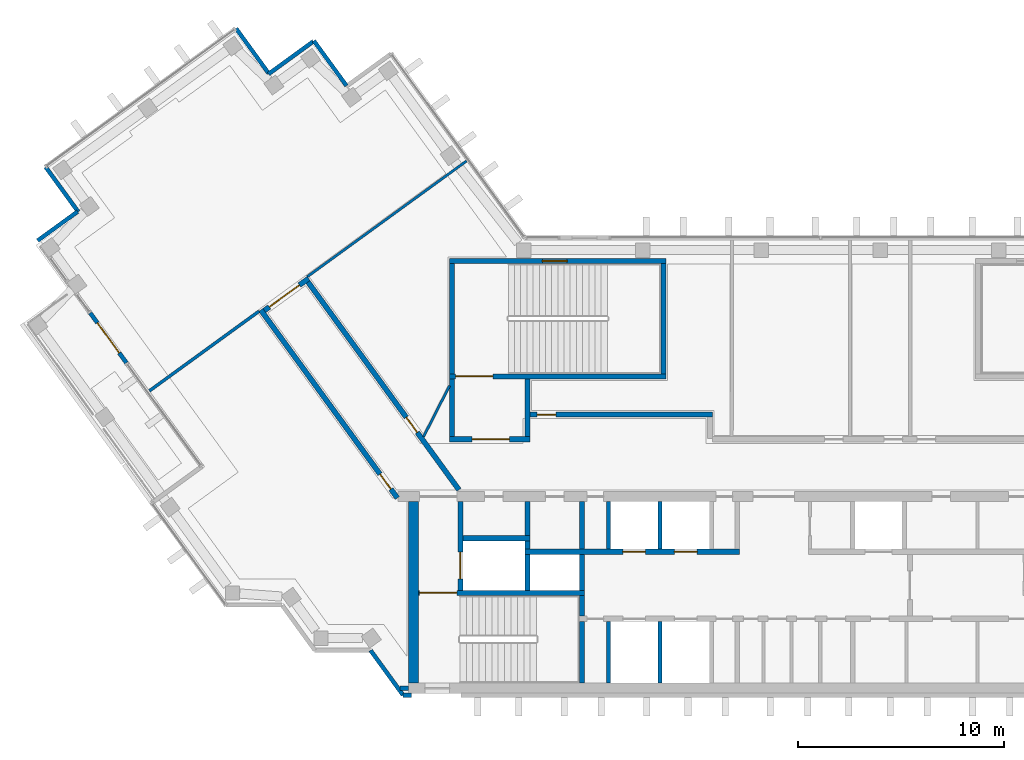
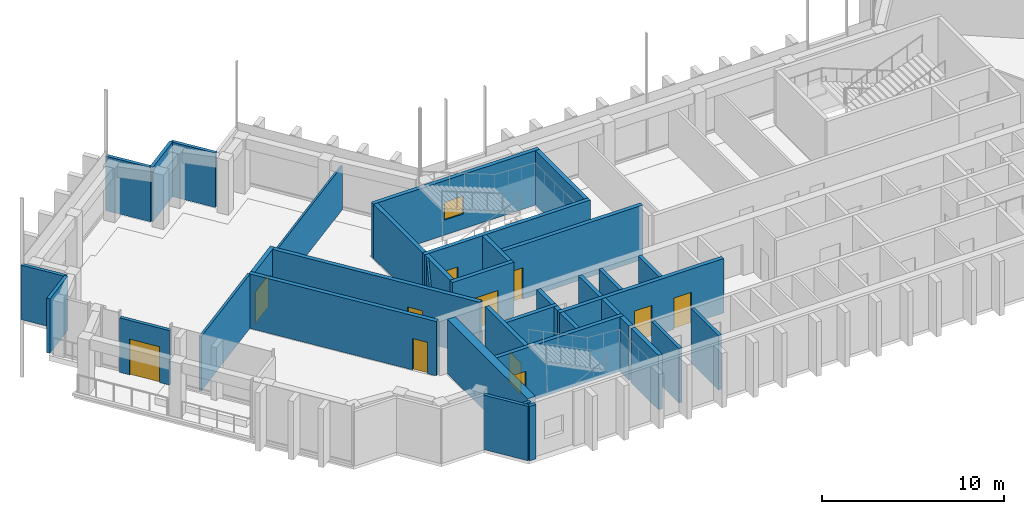
# One storey, part 9 of 14: 39 walls, 11 doors, 1 window, 12 openings.
"""IFC4 building model written with IfcOpenShell, lengths in metres."""

from ifc_helpers import new_model, si_unit, direction, frame, frame_2d, origin, place, context, subcontext, project, spatial, rectangle, extrude, material, layer, layer_set, type_object, element, fill, save


model = new_model("IFC4")

# Units and contexts
model_context = context("Model", 3, precision=1e-05, world=origin(), true_north=direction((0.0, 1.0)))
body_context = subcontext(model_context, "Body", "Model", "MODEL_VIEW")
ifc_project = project(units=[si_unit("LENGTHUNIT", "METRE"), si_unit("AREAUNIT", "SQUARE_METRE"), si_unit("VOLUMEUNIT", "CUBIC_METRE"), si_unit("PLANEANGLEUNIT", "RADIAN"), si_unit("MASSUNIT", "GRAM", prefix="KILO")], contexts=[model_context])

# Site, building, storey
site_placement = place(None, origin())
site = spatial("IfcSite", under=ifc_project, at=site_placement, CompositionType="ELEMENT")
building_placement = place(site_placement, origin())
building = spatial("IfcBuilding", under=site, at=building_placement, Name="Quipu Civic Tower", CompositionType="ELEMENT")
storey_placement = place(building_placement, frame((0.0, 0.0, 257.0)))
storey = spatial("IfcBuildingStorey", under=building, at=storey_placement, Name="L60", CompositionType="ELEMENT", Elevation=257.0)

# Walls
ifc_material_1 = material(Name="Double gypsum plasterboard with mineral wool")
ifc_layer_1 = layer(ifc_material_1, 0.14990234375)
ifc_layer_set_1 = layer_set([ifc_layer_1], Name="Double gypsum plasterboard with mineral wool")
wall_type_1 = type_object("IfcWallType", Name="Acoustic partition 150 plasterboard", PredefinedType="PARTITIONING", material=ifc_layer_set_1)
wall_1_placement = place(storey_placement, frame((-32.55615234375, 3.67138671875, 0.0), z_axis=(0.0, 0.0, 1.0), x_axis=(0.809057351259, 0.587729701796, 0.0)))
element("IfcWall", 1, at=wall_1_placement, inside=storey, type_object=wall_type_1, Name="Partition P06", PredefinedType="PARTITIONING", context=body_context, shape_type="SweptSolid", body=[
    extrude(rectangle(XDim=6.56982421875, YDim=0.14990234375, at=frame_2d((3.284912109375, 0.0))), origin(), (0.0, 0.0, 1.0), 3.64990234375),
])
ifc_material_2 = material(Name="Concrete C70/85", Category="concrete")
ifc_layer_2 = layer(ifc_material_2, 0.25)
ifc_layer_set_2 = layer_set([ifc_layer_2], Name="Concrete C70/85")
wall_type_2 = type_object("IfcWallType", Name="Core wall 250", PredefinedType="SHEAR", material=ifc_layer_set_2)
wall_2_placement = place(storey_placement, frame((-11.574951171875, -10.5, 0.0), z_axis=(0.0, 0.0, 1.0), x_axis=(0.0, 1.0, 0.0)))
element("IfcWall", 2, at=wall_2_placement, inside=storey, type_object=wall_type_2, Name="Core wall", PredefinedType="SHEAR", context=body_context, shape_type="SweptSolid", body=[
    extrude(rectangle(XDim=3.0, YDim=0.25, at=frame_2d((1.5, 0.0))), origin(), (0.0, 0.0, 1.0), 3.64990234375),
])
wall_3_placement = place(storey_placement, frame((-11.574951171875, -7.25, 0.0), z_axis=(0.0, 0.0, 1.0), x_axis=(0.0, 1.0, 0.0)))
element("IfcWall", 3, at=wall_3_placement, inside=storey, type_object=wall_type_2, Name="Core wall", PredefinedType="SHEAR", context=body_context, shape_type="SweptSolid", body=[
    extrude(rectangle(XDim=1.0, YDim=0.25, at=frame_2d((0.5, 0.0))), origin(), (0.0, 0.0, 1.0), 3.64990234375),
])

# Wall, opening, door
wall_4_placement = place(storey_placement, frame((-11.449951171875, -6.125, 0.0), z_axis=(0.0, 0.0, 1.0), x_axis=(-1.0, 0.0, 0.0)))
wall_4 = element("IfcWall", 4, at=wall_4_placement, inside=storey, type_object=wall_type_2, Name="Core wall", PredefinedType="SHEAR", context=body_context, shape_type="SweptSolid", body=[
    extrude(rectangle(XDim=8.050048828125, YDim=0.25, at=frame_2d((4.02490234375, 0.0))), origin(), (0.0, 0.0, 1.0), 3.64990234375),
])
opening_1_placement = place(wall_4_placement, frame((6.199951171875, 0.0, 0.0)))
opening_1 = element("IfcOpeningElement", 5, at=opening_1_placement, cuts=wall_4, Name="Opening CD-10", PredefinedType="OPENING", context=body_context, shape_type="SweptSolid", body=[
    extrude(rectangle(XDim=1.800048828125, YDim=2.10009765625, at=frame_2d((0.89990234375, 1.050048828125))), frame((0.0, 0.135009765625, 0.0), z_axis=(0.0, -1.0, 0.0), x_axis=(1.0, 0.0, 0.0)), (0.0, 0.0, 1.0), 0.27001953125),
])
ifc_material_3 = material(Name="Fire rated steel door", Category="steel")
door_type_1 = type_object("IfcDoorType", Name="Fire door FD90 double 1800 x 2100", OperationType="NOTDEFINED", PredefinedType="DOOR", material=ifc_material_3)
door_1_placement = place(opening_1_placement, origin())
door_1 = element("IfcDoor", 6, at=door_1_placement, inside=storey, type_object=door_type_1, Name="Door", OperationType="DOUBLE_DOOR_SINGLE_SWING", OverallHeight=2.10009765625, OverallWidth=1.800048828125, PredefinedType="DOOR", context=body_context, shape_type="SweptSolid", body=[
    extrude(rectangle(XDim=1.800048828125, YDim=2.10009765625, at=frame_2d((0.89990234375, 1.050048828125))), frame((0.0, 0.02490234375, 0.0), z_axis=(0.0, -1.0, 0.0), x_axis=(1.0, 0.0, 0.0)), (0.0, 0.0, 1.0), 0.050048828125),
])
fill(opening_1, door_1)

wall_5_placement = place(storey_placement, frame((-17.47509765625, -6.0, 0.0), z_axis=(0.0, 0.0, 1.0), x_axis=(0.0, 1.0, 0.0)))
wall_5 = element("IfcWall", 7, at=wall_5_placement, inside=storey, type_object=wall_type_2, Name="Core wall", PredefinedType="SHEAR", context=body_context, shape_type="SweptSolid", body=[
    extrude(rectangle(XDim=4.300048828125, YDim=0.25, at=frame_2d((2.14990234375, 0.0))), origin(), (0.0, 0.0, 1.0), 3.64990234375),
])
opening_2_placement = place(wall_5_placement, frame((0.550048828125, 0.0, 0.0)))
opening_2 = element("IfcOpeningElement", 8, at=opening_2_placement, cuts=wall_5, Name="Opening LD-FF1", PredefinedType="OPENING", context=body_context, shape_type="SweptSolid", body=[
    extrude(rectangle(XDim=1.300048828125, YDim=2.10009765625, at=frame_2d((0.64990234375, 1.050048828125))), frame((0.0, 0.135009765625, 0.0), z_axis=(0.0, -1.0, 0.0), x_axis=(1.0, 0.0, 0.0)), (0.0, 0.0, 1.0), 0.27001953125),
])
ifc_material_4 = material(Name="Stainless steel", Category="steel")
door_type_2 = type_object("IfcDoorType", Name="Lift landing door 1300 x 2100", OperationType="DOUBLE_DOOR_SLIDING", PredefinedType="DOOR", material=ifc_material_4)
door_2_placement = place(opening_2_placement, origin())
door_2 = element("IfcDoor", 9, at=door_2_placement, inside=storey, type_object=door_type_2, Name="Landing door FF1", OperationType="DOUBLE_DOOR_SLIDING", OverallHeight=2.10009765625, OverallWidth=1.300048828125, PredefinedType="DOOR", context=body_context, shape_type="SweptSolid", body=[
    extrude(rectangle(XDim=1.300048828125, YDim=2.10009765625, at=frame_2d((0.64990234375, 1.050048828125))), frame((0.0, 0.02490234375, 0.0), z_axis=(0.0, -1.0, 0.0), x_axis=(1.0, 0.0, 0.0)), (0.0, 0.0, 1.0), 0.050048828125),
])
fill(opening_2, door_2)

# Walls
for number, where, z_axis, x_axis, name in (
    (10, (-14.22509765625, -6.0, 0.0), (0.0, 0.0, 1.0), (0.0, 1.0, 0.0), "Core wall"),
    (11, (-11.574951171875, -6.0, 0.0), (0.0, 0.0, 1.0), (0.0, 1.0, 0.0), "Core wall"),
):
    element("IfcWall", number, at=place(storey_placement, frame(where, z_axis=z_axis, x_axis=x_axis)), inside=storey, type_object=wall_type_2, Name=name, PredefinedType="SHEAR", context=body_context, shape_type="SweptSolid", body=[
        extrude(rectangle(XDim=1.75, YDim=0.25, at=frame_2d((0.875, 0.0))), origin(), (0.0, 0.0, 1.0), 3.64990234375),
    ])

# Wall, openings, doors
wall_6_placement = place(storey_placement, frame((-14.35009765625, -4.125, 0.0), z_axis=(0.0, 0.0, 1.0), x_axis=(1.0, 0.0, 0.0)))
wall_6 = element("IfcWall", 12, at=wall_6_placement, inside=storey, type_object=wall_type_2, Name="Core wall", PredefinedType="SHEAR", context=body_context, shape_type="SweptSolid", body=[
    extrude(rectangle(XDim=10.400146484375, YDim=0.25, at=frame_2d((5.2001953125, 0.0))), origin(), (0.0, 0.0, 1.0), 3.64990234375),
])
opening_3_placement = place(wall_6_placement, frame((4.75, 0.0, 0.0)))
opening_3 = element("IfcOpeningElement", 13, at=opening_3_placement, cuts=wall_6, Name="Opening LD-HL3", PredefinedType="OPENING", context=body_context, shape_type="SweptSolid", body=[
    extrude(rectangle(XDim=1.10009765625, YDim=2.10009765625, at=frame_2d((0.550048828125, 1.050048828125))), frame((0.0, 0.135009765625, 0.0), z_axis=(0.0, -1.0, 0.0), x_axis=(1.0, 0.0, 0.0)), (0.0, 0.0, 1.0), 0.27001953125),
])
opening_4_placement = place(wall_6_placement, frame((7.25, 0.0, 0.0)))
opening_4 = element("IfcOpeningElement", 14, at=opening_4_placement, cuts=wall_6, Name="Opening LD-HL4", PredefinedType="OPENING", context=body_context, shape_type="SweptSolid", body=[
    extrude(rectangle(XDim=1.10009765625, YDim=2.10009765625, at=frame_2d((0.550048828125, 1.050048828125))), frame((0.0, 0.135009765625, 0.0), z_axis=(0.0, -1.0, 0.0), x_axis=(1.0, 0.0, 0.0)), (0.0, 0.0, 1.0), 0.27001953125),
])
ifc_material_5 = material(Name="Stainless steel", Category="steel")
door_type_3 = type_object("IfcDoorType", Name="Lift landing door 1100 x 2100", OperationType="DOUBLE_DOOR_SLIDING", PredefinedType="DOOR", material=ifc_material_5)
door_3_placement = place(opening_3_placement, origin())
door_3 = element("IfcDoor", 15, at=door_3_placement, inside=storey, type_object=door_type_3, Name="Landing door HL3", OperationType="DOUBLE_DOOR_SLIDING", OverallHeight=2.10009765625, OverallWidth=1.10009765625, PredefinedType="DOOR", context=body_context, shape_type="SweptSolid", body=[
    extrude(rectangle(XDim=1.10009765625, YDim=2.10009765625, at=frame_2d((0.550048828125, 1.050048828125))), frame((0.0, 0.02490234375, 0.0), z_axis=(0.0, -1.0, 0.0), x_axis=(1.0, 0.0, 0.0)), (0.0, 0.0, 1.0), 0.050048828125),
])
fill(opening_3, door_3)
door_4_placement = place(opening_4_placement, origin())
door_4 = element("IfcDoor", 16, at=door_4_placement, inside=storey, type_object=door_type_3, Name="Landing door HL4", OperationType="DOUBLE_DOOR_SLIDING", OverallHeight=2.10009765625, OverallWidth=1.10009765625, PredefinedType="DOOR", context=body_context, shape_type="SweptSolid", body=[
    extrude(rectangle(XDim=1.10009765625, YDim=2.10009765625, at=frame_2d((0.550048828125, 1.050048828125))), frame((0.0, 0.02490234375, 0.0), z_axis=(0.0, -1.0, 0.0), x_axis=(1.0, 0.0, 0.0)), (0.0, 0.0, 1.0), 0.050048828125),
])
fill(opening_4, door_4)

# Walls
wall_7_placement = place(storey_placement, frame((-14.22509765625, -4.0, 0.0), z_axis=(0.0, 0.0, 1.0), x_axis=(0.0, 1.0, 0.0)))
element("IfcWall", 17, at=wall_7_placement, inside=storey, type_object=wall_type_2, Name="Core wall", PredefinedType="SHEAR", context=body_context, shape_type="SweptSolid", body=[
    extrude(rectangle(XDim=0.39990234375, YDim=0.25, at=frame_2d((0.199951171875, 0.0))), origin(), (0.0, 0.0, 1.0), 3.64990234375),
])
wall_8_placement = place(storey_placement, frame((-11.574951171875, -4.0, 0.0), z_axis=(0.0, 0.0, 1.0), x_axis=(0.0, 1.0, 0.0)))
element("IfcWall", 18, at=wall_8_placement, inside=storey, type_object=wall_type_2, Name="Core wall", PredefinedType="SHEAR", context=body_context, shape_type="SweptSolid", body=[
    extrude(rectangle(XDim=2.300048828125, YDim=0.25, at=frame_2d((1.14990234375, 0.0))), origin(), (0.0, 0.0, 1.0), 3.64990234375),
])
wall_9_placement = place(storey_placement, frame((-17.35009765625, -3.47509765625, 0.0), z_axis=(0.0, 0.0, 1.0), x_axis=(1.0, 0.0, 0.0)))
element("IfcWall", 19, at=wall_9_placement, inside=storey, type_object=wall_type_2, Name="Core wall", PredefinedType="SHEAR", context=body_context, shape_type="SweptSolid", body=[
    extrude(rectangle(XDim=3.25, YDim=0.25, at=frame_2d((1.625, 0.0))), origin(), (0.0, 0.0, 1.0), 3.64990234375),
])
wall_10_placement = place(storey_placement, frame((-14.22509765625, -3.35009765625, 0.0), z_axis=(0.0, 0.0, 1.0), x_axis=(0.0, 1.0, 0.0)))
element("IfcWall", 20, at=wall_10_placement, inside=storey, type_object=wall_type_2, Name="Core wall", PredefinedType="SHEAR", context=body_context, shape_type="SweptSolid", body=[
    extrude(rectangle(XDim=1.650146484375, YDim=0.25, at=frame_2d((0.8251953125, 0.0))), origin(), (0.0, 0.0, 1.0), 3.64990234375),
])

# Wall, opening, door
wall_11_placement = place(storey_placement, frame((-18.0, 1.324951171875, 0.0), z_axis=(0.0, 0.0, 1.0), x_axis=(1.0, 0.0, 0.0)))
wall_11 = element("IfcWall", 21, at=wall_11_placement, inside=storey, type_object=wall_type_2, Name="Core wall", PredefinedType="SHEAR", context=body_context, shape_type="SweptSolid", body=[
    extrude(rectangle(XDim=3.89990234375, YDim=0.25, at=frame_2d((1.949951171875, 0.0))), origin(), (0.0, 0.0, 1.0), 3.64990234375),
])
opening_5_placement = place(wall_11_placement, frame((1.10009765625, 0.0, 0.0)))
opening_5 = element("IfcOpeningElement", 22, at=opening_5_placement, cuts=wall_11, Name="Opening CD-27", PredefinedType="OPENING", context=body_context, shape_type="SweptSolid", body=[
    extrude(rectangle(XDim=1.800048828125, YDim=2.10009765625, at=frame_2d((0.89990234375, 1.050048828125))), frame((0.0, 0.135009765625, 0.0), z_axis=(0.0, -1.0, 0.0), x_axis=(1.0, 0.0, 0.0)), (0.0, 0.0, 1.0), 0.27001953125),
])
door_5_placement = place(opening_5_placement, origin())
door_5 = element("IfcDoor", 23, at=door_5_placement, inside=storey, type_object=door_type_1, Name="Lobby door", OperationType="DOUBLE_DOOR_SINGLE_SWING", OverallHeight=2.10009765625, OverallWidth=1.800048828125, PredefinedType="DOOR", context=body_context, shape_type="SweptSolid", body=[
    extrude(rectangle(XDim=1.800048828125, YDim=2.10009765625, at=frame_2d((0.89990234375, 1.050048828125))), frame((0.0, 0.02490234375, 0.0), z_axis=(0.0, -1.0, 0.0), x_axis=(1.0, 0.0, 0.0)), (0.0, 0.0, 1.0), 0.050048828125),
])
fill(opening_5, door_5)

# Walls
for number, where, z_axis, x_axis, name in (
    (24, (-17.875, 1.449951171875, 0.0), (0.0, 0.0, 1.0), (0.0, 1.0, 0.0), "Core wall"),
    (25, (-14.22509765625, 1.449951171875, 0.0), (0.0, 0.0, 1.0), (0.0, 1.0, 0.0), "Core wall"),
):
    element("IfcWall", number, at=place(storey_placement, frame(where, z_axis=z_axis, x_axis=x_axis)), inside=storey, type_object=wall_type_2, Name=name, PredefinedType="SHEAR", context=body_context, shape_type="SweptSolid", body=[
        extrude(rectangle(XDim=2.800048828125, YDim=0.25, at=frame_2d((1.39990234375, 0.0))), origin(), (0.0, 0.0, 1.0), 3.64990234375),
    ])

# Wall, opening, door
wall_12_placement = place(storey_placement, frame((-18.0, 4.375, 0.0), z_axis=(0.0, 0.0, 1.0), x_axis=(1.0, 0.0, 0.0)))
wall_12 = element("IfcWall", 26, at=wall_12_placement, inside=storey, type_object=wall_type_2, Name="Core wall", PredefinedType="SHEAR", context=body_context, shape_type="SweptSolid", body=[
    extrude(rectangle(XDim=10.5, YDim=0.25, at=frame_2d((5.25, 0.0))), origin(), (0.0, 0.0, 1.0), 3.64990234375),
])
opening_6_placement = place(wall_12_placement, frame((0.300048828125, 0.0, 0.0)))
opening_6 = element("IfcOpeningElement", 27, at=opening_6_placement, cuts=wall_12, Name="Opening CD-28", PredefinedType="OPENING", context=body_context, shape_type="SweptSolid", body=[
    extrude(rectangle(XDim=1.800048828125, YDim=2.10009765625, at=frame_2d((0.89990234375, 1.050048828125))), frame((0.0, 0.135009765625, 0.0), z_axis=(0.0, -1.0, 0.0), x_axis=(1.0, 0.0, 0.0)), (0.0, 0.0, 1.0), 0.27001953125),
])
door_6_placement = place(opening_6_placement, origin())
door_6 = element("IfcDoor", 28, at=door_6_placement, inside=storey, type_object=door_type_1, Name="Door", OperationType="DOUBLE_DOOR_SINGLE_SWING", OverallHeight=2.10009765625, OverallWidth=1.800048828125, PredefinedType="DOOR", context=body_context, shape_type="SweptSolid", body=[
    extrude(rectangle(XDim=1.800048828125, YDim=2.10009765625, at=frame_2d((0.89990234375, 1.050048828125))), frame((0.0, 0.02490234375, 0.0), z_axis=(0.0, -1.0, 0.0), x_axis=(1.0, 0.0, 0.0)), (0.0, 0.0, 1.0), 0.050048828125),
])
fill(opening_6, door_6)

# Walls
for number, where, z_axis, x_axis, name in (
    (29, (-17.875, 4.5, 0.0), (0.0, 0.0, 1.0), (0.0, 1.0, 0.0), "Core wall"),
    (30, (-7.625, 4.5, 0.0), (0.0, 0.0, 1.0), (0.0, 1.0, 0.0), "Core wall"),
):
    element("IfcWall", number, at=place(storey_placement, frame(where, z_axis=z_axis, x_axis=x_axis)), inside=storey, type_object=wall_type_2, Name=name, PredefinedType="SHEAR", context=body_context, shape_type="SweptSolid", body=[
        extrude(rectangle(XDim=5.35009765625, YDim=0.25, at=frame_2d((2.675048828125, 0.0))), origin(), (0.0, 0.0, 1.0), 3.64990234375),
    ])

# Wall, opening, window
wall_13_placement = place(storey_placement, frame((-18.0, 9.97509765625, 0.0), z_axis=(0.0, 0.0, 1.0), x_axis=(1.0, 0.0, 0.0)))
wall_13 = element("IfcWall", 31, at=wall_13_placement, inside=storey, type_object=wall_type_2, Name="Core wall", PredefinedType="SHEAR", context=body_context, shape_type="SweptSolid", body=[
    extrude(rectangle(XDim=10.5, YDim=0.25, at=frame_2d((5.25, 0.0))), origin(), (0.0, 0.0, 1.0), 3.64990234375),
])
opening_7_placement = place(wall_13_placement, frame((4.5, 0.0, 1.0)))
opening_7 = element("IfcOpeningElement", 32, at=opening_7_placement, cuts=wall_13, Name="Opening SV-3", PredefinedType="OPENING", context=body_context, shape_type="SweptSolid", body=[
    extrude(rectangle(XDim=1.199951171875, YDim=1.199951171875, at=frame_2d((0.60009765625, 0.60009765625))), frame((0.0, 0.135009765625, 0.0), z_axis=(0.0, -1.0, 0.0), x_axis=(1.0, 0.0, 0.0)), (0.0, 0.0, 1.0), 0.27001953125),
])
ifc_material_6 = material(Name="Aluminium louvre", Category="aluminium")
window_type = type_object("IfcWindowType", Name="Stair ventilation louvre 1200 x 1200", PartitioningType="SINGLE_PANEL", PredefinedType="WINDOW", material=ifc_material_6)
window_placement = place(opening_7_placement, origin())
window = element("IfcWindow", 33, at=window_placement, inside=storey, type_object=window_type, Name="Stair ventilation opening", OverallHeight=1.199951171875, OverallWidth=1.199951171875, PartitioningType="SINGLE_PANEL", PredefinedType="WINDOW", context=body_context, shape_type="SweptSolid", body=[
    extrude(rectangle(XDim=1.199951171875, YDim=1.199951171875, at=frame_2d((0.60009765625, 0.60009765625))), frame((0.0, 0.030029296875, 0.0), z_axis=(0.0, -1.0, 0.0), x_axis=(1.0, 0.0, 0.0)), (0.0, 0.0, 1.0), 0.06005859375),
])
fill(opening_7, window)

# Wall
ifc_material_7 = material(Name="Concrete C70/85", Category="concrete")
ifc_layer_3 = layer(ifc_material_7, 0.5)
ifc_layer_set_3 = layer_set([ifc_layer_3], Name="Concrete C70/85")
wall_type_3 = type_object("IfcWallType", Name="Core wall 500", PredefinedType="SHEAR", material=ifc_layer_set_3)
wall_14_placement = place(storey_placement, frame((-19.75, -10.5, 0.0), z_axis=(0.0, 0.0, 1.0), x_axis=(0.0, 1.0, 0.0)))
element("IfcWall", 34, at=wall_14_placement, inside=storey, type_object=wall_type_3, Name="Core wall", PredefinedType="SHEAR", context=body_context, shape_type="SweptSolid", body=[
    extrude(rectangle(XDim=8.800048828125, YDim=0.5, at=frame_2d((4.39990234375, 0.0))), origin(), (0.0, 0.0, 1.0), 3.64990234375),
])

# Wall, opening, door
ifc_material_8 = material(Name="Concrete C50/60", Category="concrete")
ifc_layer_4 = layer(ifc_material_8, 0.25)
ifc_layer_set_4 = layer_set([ifc_layer_4], Name="Concrete C50/60")
wall_type_4 = type_object("IfcWallType", Name="Corridor wall 250 concrete", PredefinedType="SOLIDWALL", material=ifc_layer_set_4)
wall_15_placement = place(storey_placement, frame((-20.531005859375, -1.5234375, 0.0), z_axis=(0.0, 0.0, 1.0), x_axis=(-0.587782646447, 0.809018887626, 0.0)))
wall_15 = element("IfcWall", 35, at=wall_15_placement, inside=storey, type_object=wall_type_4, Name="Corridor wall C04", PredefinedType="SOLIDWALL", context=body_context, shape_type="SweptSolid", body=[
    extrude(rectangle(XDim=11.270263671875, YDim=0.25, at=frame_2d((5.63525390625, 0.0))), origin(), (0.0, 0.0, 1.0), 3.64990234375),
])
opening_8_placement = place(wall_15_placement, frame((0.53271484375, 0.0, 0.0)))
opening_8 = element("IfcOpeningElement", 36, at=opening_8_placement, cuts=wall_15, Name="Opening D009", PredefinedType="OPENING", context=body_context, shape_type="SweptSolid", body=[
    extrude(rectangle(XDim=0.89990234375, YDim=2.10009765625, at=frame_2d((0.449951171875, 1.050048828125))), frame((0.0, 0.135009765625, 0.0), z_axis=(0.0, -1.0, 0.0), x_axis=(1.0, 0.0, 0.0)), (0.0, 0.0, 1.0), 0.27001953125),
])
ifc_material_9 = material(Name="Fire rated timber door set with metal frame", Category="wood")
door_type_4 = type_object("IfcDoorType", Name="Single door 900 x 2100 FD60", OperationType="NOTDEFINED", PredefinedType="DOOR", material=ifc_material_9)
door_7_placement = place(opening_8_placement, origin())
door_7 = element("IfcDoor", 37, at=door_7_placement, inside=storey, type_object=door_type_4, Name="Door D009", OperationType="SINGLE_SWING_LEFT", OverallHeight=2.10009765625, OverallWidth=0.89990234375, PredefinedType="DOOR", context=body_context, shape_type="SweptSolid", body=[
    extrude(rectangle(XDim=0.89990234375, YDim=2.10009765625, at=frame_2d((0.449951171875, 1.050048828125))), frame((0.0, 0.02490234375, 0.0), z_axis=(0.0, -1.0, 0.0), x_axis=(1.0, 0.0, 0.0)), (0.0, 0.0, 1.0), 0.050048828125),
])
fill(opening_8, door_7)

wall_16_placement = place(storey_placement, frame((-26.98095703125, 7.56689453125, 0.0), z_axis=(0.0, 0.0, 1.0), x_axis=(0.809038743598, 0.587755315891, 0.0)))
wall_16 = element("IfcWall", 38, at=wall_16_placement, inside=storey, type_object=wall_type_4, Name="Corridor wall C05", PredefinedType="SOLIDWALL", context=body_context, shape_type="SweptSolid", body=[
    extrude(rectangle(XDim=2.650146484375, YDim=0.25, at=frame_2d((1.3251953125, 0.0))), origin(), (0.0, 0.0, 1.0), 3.64990234375),
])
opening_9_placement = place(wall_16_placement, frame((0.299560546875, 0.0, 0.0)))
opening_9 = element("IfcOpeningElement", 39, at=opening_9_placement, cuts=wall_16, Name="Opening D010", PredefinedType="OPENING", context=body_context, shape_type="SweptSolid", body=[
    extrude(rectangle(XDim=1.800048828125, YDim=2.10009765625, at=frame_2d((0.89990234375, 1.050048828125))), frame((0.0, 0.135009765625, 0.0), z_axis=(0.0, -1.0, 0.0), x_axis=(1.0, 0.0, 0.0)), (0.0, 0.0, 1.0), 0.27001953125),
])
ifc_material_10 = material(Name="Fire rated timber door set with metal frame", Category="wood")
door_type_5 = type_object("IfcDoorType", Name="Double door 1800 x 2100 FD60", OperationType="DOUBLE_DOOR_SINGLE_SWING", PredefinedType="DOOR", material=ifc_material_10)
door_8_placement = place(opening_9_placement, origin())
door_8 = element("IfcDoor", 40, at=door_8_placement, inside=storey, type_object=door_type_5, Name="Door D010", OperationType="DOUBLE_DOOR_SINGLE_SWING", OverallHeight=2.10009765625, OverallWidth=1.800048828125, PredefinedType="DOOR", context=body_context, shape_type="SweptSolid", body=[
    extrude(rectangle(XDim=1.800048828125, YDim=2.10009765625, at=frame_2d((0.89990234375, 1.050048828125))), frame((0.0, 0.02490234375, 0.0), z_axis=(0.0, -1.0, 0.0), x_axis=(1.0, 0.0, 0.0)), (0.0, 0.0, 1.0), 0.050048828125),
])
fill(opening_9, door_8)

wall_17_placement = place(storey_placement, frame((-24.86474609375, 8.949951171875, 0.0), z_axis=(0.0, 0.0, 1.0), x_axis=(0.587791617212, -0.809012369952, 0.0)))
wall_17 = element("IfcWall", 41, at=wall_17_placement, inside=storey, type_object=wall_type_4, Name="Corridor wall C06", PredefinedType="SOLIDWALL", context=body_context, shape_type="SweptSolid", body=[
    extrude(rectangle(XDim=12.453125, YDim=0.25, at=frame_2d((6.2265625, 0.0))), origin(), (0.0, 0.0, 1.0), 3.64990234375),
])
opening_10_placement = place(wall_17_placement, frame((8.111572265625, 0.0, 0.0)))
opening_10 = element("IfcOpeningElement", 42, at=opening_10_placement, cuts=wall_17, Name="Opening D008", PredefinedType="OPENING", context=body_context, shape_type="SweptSolid", body=[
    extrude(rectangle(XDim=0.89990234375, YDim=2.10009765625, at=frame_2d((0.449951171875, 1.050048828125))), frame((0.0, 0.135009765625, 0.0), z_axis=(0.0, -1.0, 0.0), x_axis=(1.0, 0.0, 0.0)), (0.0, 0.0, 1.0), 0.27001953125),
])
door_9_placement = place(opening_10_placement, origin())
door_9 = element("IfcDoor", 43, at=door_9_placement, inside=storey, type_object=door_type_4, Name="Door D008", OperationType="SINGLE_SWING_RIGHT", OverallHeight=2.10009765625, OverallWidth=0.89990234375, PredefinedType="DOOR", context=body_context, shape_type="SweptSolid", body=[
    extrude(rectangle(XDim=0.89990234375, YDim=2.10009765625, at=frame_2d((0.449951171875, 1.050048828125))), frame((0.0, 0.02490234375, 0.0), z_axis=(0.0, -1.0, 0.0), x_axis=(1.0, 0.0, 0.0)), (0.0, 0.0, 1.0), 0.050048828125),
])
fill(opening_10, door_9)

wall_18_placement = place(storey_placement, frame((-14.090087890625, 2.52490234375, 0.0), z_axis=(0.0, 0.0, 1.0), x_axis=(1.0, 0.0, 0.0)))
wall_18 = element("IfcWall", 44, at=wall_18_placement, inside=storey, type_object=wall_type_4, Name="Corridor wall C07", PredefinedType="SOLIDWALL", context=body_context, shape_type="SweptSolid", body=[
    extrude(rectangle(XDim=8.840087890625, YDim=0.25, at=frame_2d((4.419921875, 0.0))), origin(), (0.0, 0.0, 1.0), 3.64990234375),
])
opening_11_placement = place(wall_18_placement, frame((0.340087890625, 0.0, 0.0)))
opening_11 = element("IfcOpeningElement", 45, at=opening_11_placement, cuts=wall_18, Name="Opening D004", PredefinedType="OPENING", context=body_context, shape_type="SweptSolid", body=[
    extrude(rectangle(XDim=0.89990234375, YDim=2.10009765625, at=frame_2d((0.449951171875, 1.050048828125))), frame((0.0, 0.135009765625, 0.0), z_axis=(0.0, -1.0, 0.0), x_axis=(1.0, 0.0, 0.0)), (0.0, 0.0, 1.0), 0.27001953125),
])
door_10_placement = place(opening_11_placement, origin())
door_10 = element("IfcDoor", 46, at=door_10_placement, inside=storey, type_object=door_type_4, Name="Door D004", OperationType="SINGLE_SWING_LEFT", OverallHeight=2.10009765625, OverallWidth=0.89990234375, PredefinedType="DOOR", context=body_context, shape_type="SweptSolid", body=[
    extrude(rectangle(XDim=0.89990234375, YDim=2.10009765625, at=frame_2d((0.449951171875, 1.050048828125))), frame((0.0, 0.02490234375, 0.0), z_axis=(0.0, -1.0, 0.0), x_axis=(1.0, 0.0, 0.0)), (0.0, 0.0, 1.0), 0.050048828125),
])
fill(opening_11, door_10)

# Walls
ifc_material_11 = material(Name="Gypsum plasterboard on light gauge framing")
ifc_layer_5 = layer(ifc_material_11, 0.1201171875)
ifc_layer_set_5 = layer_set([ifc_layer_5], Name="Gypsum plasterboard on light gauge framing")
wall_type_5 = type_object("IfcWallType", Name="Partition 120 plasterboard", PredefinedType="PARTITIONING", material=ifc_layer_set_5)
wall_19_placement = place(storey_placement, frame((-17.17236328125, 14.822265625, 0.0), z_axis=(0.0, 0.0, 1.0), x_axis=(-0.809046636998, -0.587744450559, 0.0)))
element("IfcWall", 47, at=wall_19_placement, inside=storey, type_object=wall_type_5, Name="Partition P02", PredefinedType="PARTITIONING", context=body_context, shape_type="SweptSolid", body=[
    extrude(rectangle(XDim=9.54931640625, YDim=0.1201171875, at=frame_2d((4.774658203125, 0.0))), origin(), (0.0, 0.0, 1.0), 2.949951171875),
])
wall_20_placement = place(storey_placement, frame((-19.260986328125, 1.449951171875, 0.0), z_axis=(0.0, 0.0, 1.0), x_axis=(0.453950796792, 0.891026752736, 0.0)))
element("IfcWall", 48, at=wall_20_placement, inside=storey, type_object=wall_type_5, Name="Partition P09", PredefinedType="PARTITIONING", context=body_context, shape_type="SweptSolid", body=[
    extrude(rectangle(XDim=2.77783203125, YDim=0.1201171875, at=frame_2d((1.388916015625, 0.0))), origin(), (0.0, 0.0, 1.0), 3.64990234375),
])
ifc_material_12 = material(Name="Precast concrete C40/50", Category="concrete")
wall_type_6 = type_object("IfcWallType", Name="Precast cladding wall", PredefinedType="SOLIDWALL", material=ifc_material_12)
wall_21_placement = place(storey_placement, frame((-36.031982421875, 12.36865234375, 0.0), z_axis=(0.0, 0.0, 1.0), x_axis=(-0.809026317077, -0.587772420479, 0.0)))
element("IfcWall", 49, at=wall_21_placement, inside=storey, type_object=wall_type_6, Name="Precast cladding wall L60 1", PredefinedType="SOLIDWALL", context=body_context, shape_type="SweptSolid", body=[
    extrude(rectangle(XDim=2.39990234375, YDim=0.199951171875, at=frame_2d((1.199951171875, 0.0))), origin(), (0.0, 0.0, 1.0), 3.64990234375),
])
wall_22_placement = place(storey_placement, frame((-21.8330078125, -8.90869140625, 0.0), z_axis=(0.0, 0.0, 1.0), x_axis=(0.587766567315, -0.809030569476, 0.0)))
element("IfcWall", 50, at=wall_22_placement, inside=storey, type_object=wall_type_6, Name="Precast cladding wall L60 P01", PredefinedType="SOLIDWALL", context=body_context, shape_type="SweptSolid", body=[
    extrude(rectangle(XDim=2.687744140625, YDim=0.199951171875, at=frame_2d((1.34375, 0.0))), origin(), (0.0, 0.0, 1.0), 3.64990234375),
])
wall_23_placement = place(storey_placement, frame((-20.255859375, -11.087890625, 0.0), z_axis=(0.0, 0.0, 1.0), x_axis=(1.0, 0.0, 0.0)))
element("IfcWall", 51, at=wall_23_placement, inside=storey, type_object=wall_type_6, Name="Precast cladding wall L60 P02", PredefinedType="SOLIDWALL", context=body_context, shape_type="SweptSolid", body=[
    extrude(rectangle(XDim=0.40576171875, YDim=0.199951171875, at=frame_2d((0.202880859375, 0.0))), origin(), (0.0, 0.0, 1.0), 3.64990234375),
])
wall_24_placement = place(storey_placement, frame((-22.996337890625, 18.465576171875, 0.0), z_axis=(0.0, 0.0, 1.0), x_axis=(-0.587762999008, 0.809033161865, 0.0)))
element("IfcWall", 52, at=wall_24_placement, inside=storey, type_object=wall_type_6, Name="Precast cladding wall L60 P28", PredefinedType="SOLIDWALL", context=body_context, shape_type="SweptSolid", body=[
    extrude(rectangle(XDim=2.699951171875, YDim=0.199951171875, at=frame_2d((1.35009765625, 0.0))), origin(), (0.0, 0.0, 1.0), 3.64990234375),
])
for number, where, z_axis, x_axis, name in (
    (53, (-24.60009765625, 20.62255859375, 0.0), (0.0, 0.0, 1.0), (-0.809064397168, -0.587720002413, 0.0), "Precast cladding wall L60 P29"),
    (54, (-26.767578125, 19.062744140625, 0.0), (0.0, 0.0, 1.0), (-0.587720002413, 0.809064397168, 0.0), "Precast cladding wall L60 P30"),
):
    element("IfcWall", number, at=place(storey_placement, frame(where, z_axis=z_axis, x_axis=x_axis)), inside=storey, type_object=wall_type_6, Name=name, PredefinedType="SOLIDWALL", context=body_context, shape_type="SweptSolid", body=[
        extrude(rectangle(XDim=2.7001953125, YDim=0.199951171875, at=frame_2d((1.35009765625, 0.0))), origin(), (0.0, 0.0, 1.0), 3.64990234375),
    ])
wall_25_placement = place(storey_placement, frame((-37.591796875, 14.535888671875, 0.0), z_axis=(0.0, 0.0, 1.0), x_axis=(0.587762999008, -0.809033161865, 0.0)))
element("IfcWall", 55, at=wall_25_placement, inside=storey, type_object=wall_type_6, Name="Precast cladding wall L60 P32", PredefinedType="SOLIDWALL", context=body_context, shape_type="SweptSolid", body=[
    extrude(rectangle(XDim=2.699951171875, YDim=0.199951171875, at=frame_2d((1.35009765625, 0.0))), origin(), (0.0, 0.0, 1.0), 3.64990234375),
])
wall_26_placement = place(storey_placement, frame((-19.97998046875, -10.75, 0.0), z_axis=(0.0, 0.0, 1.0), x_axis=(-1.0, 0.0, 0.0)))
element("IfcWall", 56, at=wall_26_placement, inside=storey, type_object=wall_type_6, Name="Precast cladding return L60 W", PredefinedType="SOLIDWALL", context=body_context, shape_type="SweptSolid", body=[
    extrude(rectangle(XDim=0.41650390625, YDim=0.199951171875, at=frame_2d((0.208251953125, 0.0))), origin(), (0.0, 0.0, 1.0), 3.64990234375),
])

# Wall, opening, door
ifc_material_13 = material(Name="Precast concrete C40/50", Category="concrete")
wall_type_7 = type_object("IfcWallType", Name="Precast door surround", PredefinedType="SOLIDWALL", material=ifc_material_13)
wall_27_placement = place(storey_placement, frame((-33.6650390625, 5.027587890625, 0.0), z_axis=(0.0, 0.0, 1.0), x_axis=(-0.587755461469, 0.809038637837, 0.0)))
wall_27 = element("IfcWall", 57, at=wall_27_placement, inside=storey, type_object=wall_type_7, Name="Door surround ED-L60-1", PredefinedType="SOLIDWALL", context=body_context, shape_type="SweptSolid", body=[
    extrude(rectangle(XDim=2.999755859375, YDim=0.199951171875, at=frame_2d((1.5, 0.0))), origin(), (0.0, 0.0, 1.0), 3.64990234375),
])
opening_12_placement = place(wall_27_placement, frame((0.60009765625, 0.0, 0.0)))
opening_12 = element("IfcOpeningElement", 58, at=opening_12_placement, cuts=wall_27, Name="Opening ED-L60-1", PredefinedType="OPENING", context=body_context, shape_type="SweptSolid", body=[
    extrude(rectangle(XDim=1.800048828125, YDim=2.39990234375, at=frame_2d((0.89990234375, 1.199951171875))), frame((0.0, 0.10986328125, 0.0), z_axis=(0.0, -1.0, 0.0), x_axis=(1.0, 0.0, 0.0)), (0.0, 0.0, 1.0), 0.219970703125),
])
ifc_material_14 = material(Name="Aluminium framed glazed door", Category="aluminium")
door_type_6 = type_object("IfcDoorType", Name="Terrace door E3", OperationType="DOUBLE_DOOR_SINGLE_SWING", PredefinedType="DOOR", material=ifc_material_14)
door_11_placement = place(opening_12_placement, origin())
door_11 = element("IfcDoor", 59, at=door_11_placement, inside=storey, type_object=door_type_6, Name="E3 door ED-L60-1", OperationType="DOUBLE_DOOR_SINGLE_SWING", OverallHeight=2.39990234375, OverallWidth=1.800048828125, PredefinedType="DOOR", context=body_context, shape_type="SweptSolid", body=[
    extrude(rectangle(XDim=1.800048828125, YDim=2.39990234375, at=frame_2d((0.89990234375, 1.199951171875))), frame((0.0, 0.02490234375, 0.0), z_axis=(0.0, -1.0, 0.0), x_axis=(1.0, 0.0, 0.0)), (0.0, 0.0, 1.0), 0.050048828125),
])
fill(opening_12, door_11)

# Walls
ifc_material_15 = material(Name="Concrete C40/50", Category="concrete")
ifc_layer_6 = layer(ifc_material_15, 0.199951171875)
ifc_layer_set_6 = layer_set([ifc_layer_6], Name="Concrete C40/50")
wall_type_8 = type_object("IfcWallType", Name="Shaft wall 200", PredefinedType="SOLIDWALL", material=ifc_layer_set_6)
for number, where, z_axis, x_axis, name in (
    (60, (-10.300048828125, -10.5, 0.0), (0.0, 0.0, 1.0), (0.0, 1.0, 0.0), "Shaft wall"),
    (61, (-7.800048828125, -10.5, 0.0), (0.0, 0.0, 1.0), (0.0, 1.0, 0.0), "Shaft wall"),
):
    element("IfcWall", number, at=place(storey_placement, frame(where, z_axis=z_axis, x_axis=x_axis)), inside=storey, type_object=wall_type_8, Name=name, PredefinedType="SOLIDWALL", context=body_context, shape_type="SweptSolid", body=[
        extrude(rectangle(XDim=3.0, YDim=0.199951171875, at=frame_2d((1.5, 0.0))), origin(), (0.0, 0.0, 1.0), 3.64990234375),
    ])
for number, where, z_axis, x_axis, name in (
    (62, (-10.300048828125, -4.0, 0.0), (0.0, 0.0, 1.0), (0.0, 1.0, 0.0), "Shaft wall"),
    (63, (-7.800048828125, -4.0, 0.0), (0.0, 0.0, 1.0), (0.0, 1.0, 0.0), "Shaft wall"),
):
    element("IfcWall", number, at=place(storey_placement, frame(where, z_axis=z_axis, x_axis=x_axis)), inside=storey, type_object=wall_type_8, Name=name, PredefinedType="SOLIDWALL", context=body_context, shape_type="SweptSolid", body=[
        extrude(rectangle(XDim=2.300048828125, YDim=0.199951171875, at=frame_2d((1.14990234375, 0.0))), origin(), (0.0, 0.0, 1.0), 3.64990234375),
    ])

save(model, "model.ifc")
